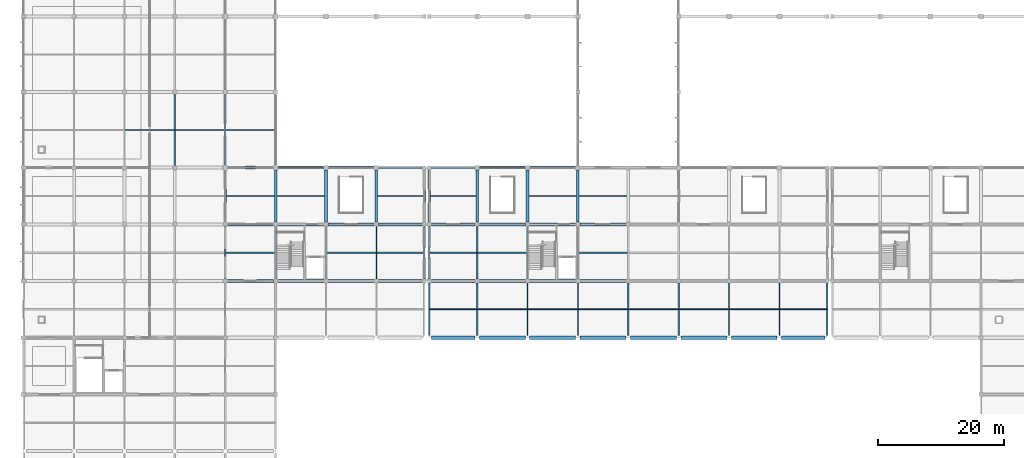
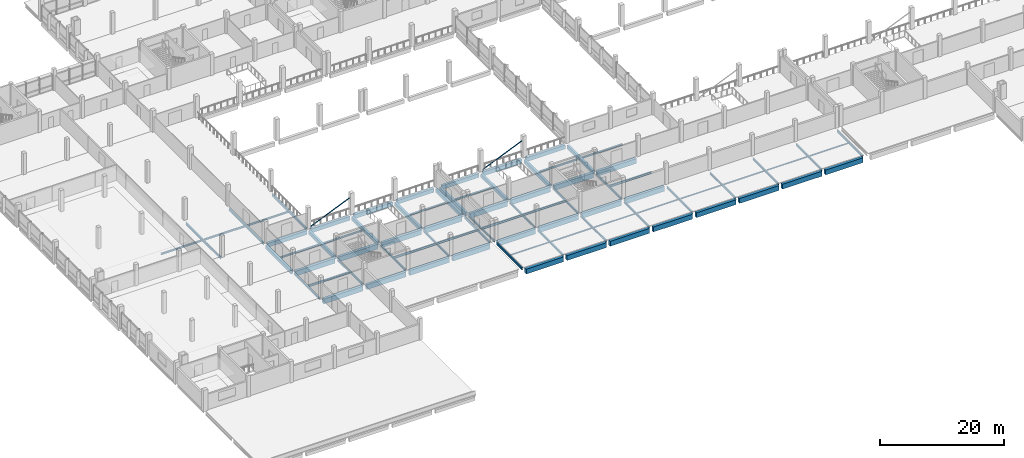
# One storey, part 8 of 57: 84 beams, 2 members.
"""IFC4 building model written with IfcOpenShell, lengths in metres."""

from ifc_helpers import new_model, si_unit, direction, frame, origin, origin_2d, place, context, subcontext, project, spatial, rectangle, hollow_circle, i_section, extrude, material, material_profile, profile_set, type_object, element, save


model = new_model("IFC4")

# Units and contexts
model_context = context("Model", 3, precision=1e-05, world=origin(), true_north=direction((0.0, 1.0)))
body_context = subcontext(model_context, "Body", "Model", "MODEL_VIEW")
ifc_project = project(units=[si_unit("LENGTHUNIT", "METRE"), si_unit("AREAUNIT", "SQUARE_METRE"), si_unit("VOLUMEUNIT", "CUBIC_METRE"), si_unit("PLANEANGLEUNIT", "RADIAN"), si_unit("MASSUNIT", "GRAM", prefix="KILO"), si_unit("THERMODYNAMICTEMPERATUREUNIT", "KELVIN"), si_unit("POWERUNIT", "WATT")], contexts=[model_context])

# Site, building, storey
site_placement = place(None, origin())
site = spatial("IfcSite", under=ifc_project, at=site_placement, CompositionType="ELEMENT")
building_placement = place(site_placement, origin())
building = spatial("IfcBuilding", under=site, at=building_placement, Name="Kronsvod Quay Wholesale Market", CompositionType="ELEMENT")
storey_placement = place(building_placement, frame((0.0, 0.0, 4.800048828125)))
storey = spatial("IfcBuildingStorey", under=building, at=storey_placement, Name="L01", CompositionType="ELEMENT", Elevation=4.800048828125)

# Beams
ifc_material_1 = material(Name="Precast concrete C40/50", Category="concrete")
ifc_material_profile_1 = material_profile(ifc_material_1, rectangle(XDim=0.419921875, YDim=0.679931640625, at=origin_2d()), Name="PB-05")
ifc_profile_set_1 = profile_set([ifc_material_profile_1], Name="Precast concrete C40/50")
beam_type_1 = type_object("IfcBeamType", Name="Beam_PCB420x680", PredefinedType="BEAM", material=ifc_profile_set_1)
for number, where, z_axis, x_axis, name in (
    (1, (32.0, 45.35009765625, -0.64013671875), (0.0, 1.0, 0.0), (-1.0, 0.0, 0.0), "BMY-L01-320-450"),
    (2, (40.0, 45.35009765625, -0.64013671875), (0.0, 1.0, 0.0), (-1.0, 0.0, 0.0), "BMY-L01-400-450"),
    (3, (48.0, 45.35009765625, -0.64013671875), (0.0, 1.0, 0.0), (-1.0, 0.0, 0.0), "BMY-L01-480-450"),
    (4, (56.0, 45.35009765625, -0.64013671875), (0.0, 1.0, 0.0), (-1.0, 0.0, 0.0), "BMY-L01-560-450"),
):
    element("IfcBeam", number, at=place(storey_placement, frame(where, z_axis=z_axis, x_axis=x_axis)), inside=storey, type_object=beam_type_1, Name=name, PredefinedType="BEAM", context=body_context, shape_type="SweptSolid", body=[
        extrude(rectangle(XDim=0.419921875, YDim=0.679931640625, at=origin_2d()), origin(), (0.0, 0.0, 1.0), 8.25),
    ])
for number, where, z_axis, x_axis, name in (
    (5, (63.60009765625, 45.35009765625, -0.64013671875), (0.0, 1.0, 0.0), (-1.0, 0.0, 0.0), "BMY-L01-636-450"),
    (6, (64.39990234375, 45.35009765625, -0.64013671875), (0.0, 1.0, 0.0), (-1.0, 0.0, 0.0), "BMY-L01-644-450"),
):
    element("IfcBeam", number, at=place(storey_placement, frame(where, z_axis=z_axis, x_axis=x_axis)), inside=storey, type_object=beam_type_1, Name=name, PredefinedType="BEAM", context=body_context, shape_type="SweptSolid", body=[
        extrude(rectangle(XDim=0.419921875, YDim=0.679931640625, at=origin_2d()), origin(), (0.0, 0.0, 1.0), 8.2998046875),
    ])
for number, where, z_axis, x_axis, name in (
    (7, (72.0, 45.35009765625, -0.64013671875), (0.0, 1.0, 0.0), (-1.0, 0.0, 0.0), "BMY-L01-720-450"),
    (8, (80.0, 45.35009765625, -0.64013671875), (0.0, 1.0, 0.0), (-1.0, 0.0, 0.0), "BMY-L01-800-450"),
    (9, (88.0, 45.35009765625, -0.64013671875), (0.0, 1.0, 0.0), (-1.0, 0.0, 0.0), "BMY-L01-880-450"),
):
    element("IfcBeam", number, at=place(storey_placement, frame(where, z_axis=z_axis, x_axis=x_axis)), inside=storey, type_object=beam_type_1, Name=name, PredefinedType="BEAM", context=body_context, shape_type="SweptSolid", body=[
        extrude(rectangle(XDim=0.419921875, YDim=0.679931640625, at=origin_2d()), origin(), (0.0, 0.0, 1.0), 8.25),
    ])
ifc_material_2 = material(Name="Precast concrete C40/50", Category="concrete")
ifc_material_profile_2 = material_profile(ifc_material_2, rectangle(XDim=0.449951171875, YDim=0.75, at=origin_2d()), Name="PCB450x750")
ifc_profile_set_2 = profile_set([ifc_material_profile_2], Name="Precast concrete C40/50")
beam_type_2 = type_object("IfcBeamType", Name="Beam_PCB450x750", PredefinedType="BEAM", material=ifc_profile_set_2)
for number, where, z_axis, x_axis, name in (
    (10, (56.39990234375, 54.0, -0.675048828125), (1.0, 0.0, 0.0), (0.0, 1.0, 0.0), "BMX-L01-560-540"),
    (11, (64.75, 54.0, -0.675048828125), (1.0, 0.0, 0.0), (0.0, 1.0, 0.0), "BMX-L01-644-540"),
):
    element("IfcBeam", number, at=place(storey_placement, frame(where, z_axis=z_axis, x_axis=x_axis)), inside=storey, type_object=beam_type_2, Name=name, PredefinedType="BEAM", context=body_context, shape_type="SweptSolid", body=[
        extrude(rectangle(XDim=0.449951171875, YDim=0.75, at=origin_2d()), origin(), (0.0, 0.0, 1.0), 6.85009765625),
    ])
ifc_material_3 = material(Name="Precast concrete C40/50", Category="concrete")
ifc_material_profile_3 = material_profile(ifc_material_3, rectangle(XDim=0.4599609375, YDim=0.780029296875, at=origin_2d()), Name="PB-03")
ifc_profile_set_3 = profile_set([ifc_material_profile_3], Name="Precast concrete C40/50")
beam_type_3 = type_object("IfcBeamType", Name="Beam_PCB460x780", PredefinedType="BEAM", material=ifc_profile_set_3)
for number, where, z_axis, x_axis, name in (
    (12, (32.39990234375, 54.0, -0.68994140625), (1.0, 0.0, 0.0), (0.0, 1.0, 0.0), "BMX-L01-320-540"),
    (13, (40.39990234375, 54.0, -0.68994140625), (1.0, 0.0, 0.0), (0.0, 1.0, 0.0), "BMX-L01-400-540"),
    (14, (48.39990234375, 54.0, -0.68994140625), (1.0, 0.0, 0.0), (0.0, 1.0, 0.0), "BMX-L01-480-540"),
    (15, (72.39990234375, 54.0, -0.68994140625), (1.0, 0.0, 0.0), (0.0, 1.0, 0.0), "BMX-L01-720-540"),
    (16, (80.39990234375, 54.0, -0.68994140625), (1.0, 0.0, 0.0), (0.0, 1.0, 0.0), "BMX-L01-800-540"),
):
    element("IfcBeam", number, at=place(storey_placement, frame(where, z_axis=z_axis, x_axis=x_axis)), inside=storey, type_object=beam_type_3, Name=name, PredefinedType="BEAM", context=body_context, shape_type="SweptSolid", body=[
        extrude(rectangle(XDim=0.4599609375, YDim=0.780029296875, at=origin_2d()), origin(), (0.0, 0.0, 1.0), 7.2001953125),
    ])
ifc_material_4 = material(Name="Steel S355", Category="steel")
ifc_material_profile_4 = material_profile(ifc_material_4, i_section(OverallWidth=0.125, OverallDepth=0.25, WebThickness=0.006103515625, FlangeThickness=0.009033203125, FilletRadius=0.011962890625, at=origin_2d()), Name="25B2")
ifc_profile_set_4 = profile_set([ifc_material_profile_4], Name="Steel S355")
beam_type_4 = type_object("IfcBeamType", Name="Beam_Steel25B2", PredefinedType="BEAM", material=ifc_profile_set_4)
beam_1_placement = place(storey_placement, frame((64.4951171875, 31.5, -0.31494140625), z_axis=(1.0, 0.0, 0.0), x_axis=(0.0, 1.0, 0.0)))
element("IfcBeam", 17, at=beam_1_placement, inside=storey, type_object=beam_type_4, Name="JSTX-L01-644-270", PredefinedType="BEAM", context=body_context, shape_type="SweptSolid", body=[
    extrude(i_section(OverallWidth=0.125, OverallDepth=0.25, WebThickness=0.006103515625, FlangeThickness=0.009033203125, FilletRadius=0.011962890625, at=origin_2d()), origin(), (0.0, 0.0, 1.0), 7.409912109375),
])
for number, where, z_axis, x_axis, name in (
    (18, (72.094970703125, 31.5, -0.31494140625), (1.0, 0.0, 0.0), (0.0, 1.0, 0.0), "JSTX-L01-720-270"),
    (19, (80.094970703125, 31.5, -0.31494140625), (1.0, 0.0, 0.0), (0.0, 1.0, 0.0), "JSTX-L01-800-270"),
    (20, (88.094970703125, 31.5, -0.31494140625), (1.0, 0.0, 0.0), (0.0, 1.0, 0.0), "JSTX-L01-880-270"),
    (21, (96.094970703125, 31.5, -0.31494140625), (1.0, 0.0, 0.0), (0.0, 1.0, 0.0), "JSTX-L01-960-270"),
    (22, (104.094970703125, 31.5, -0.31494140625), (1.0, 0.0, 0.0), (0.0, 1.0, 0.0), "JSTX-L01-1040-270"),
    (23, (112.094970703125, 31.5, -0.31494140625), (1.0, 0.0, 0.0), (0.0, 1.0, 0.0), "JSTX-L01-1120-270"),
):
    element("IfcBeam", number, at=place(storey_placement, frame(where, z_axis=z_axis, x_axis=x_axis)), inside=storey, type_object=beam_type_4, Name=name, PredefinedType="BEAM", context=body_context, shape_type="SweptSolid", body=[
        extrude(i_section(OverallWidth=0.125, OverallDepth=0.25, WebThickness=0.006103515625, FlangeThickness=0.009033203125, FilletRadius=0.011962890625, at=origin_2d()), origin(), (0.0, 0.0, 1.0), 7.81005859375),
    ])
beam_2_placement = place(storey_placement, frame((120.094970703125, 31.5, -0.31494140625), z_axis=(1.0, 0.0, 0.0), x_axis=(0.0, 1.0, 0.0)))
element("IfcBeam", 24, at=beam_2_placement, inside=storey, type_object=beam_type_4, Name="JSTX-L01-1200-270", PredefinedType="BEAM", context=body_context, shape_type="SweptSolid", body=[
    extrude(i_section(OverallWidth=0.125, OverallDepth=0.25, WebThickness=0.006103515625, FlangeThickness=0.009033203125, FilletRadius=0.011962890625, at=origin_2d()), origin(), (0.0, 0.0, 1.0), 7.409912109375),
])
ifc_material_5 = material(Name="Steel S355", Category="steel")
ifc_material_profile_5 = material_profile(ifc_material_5, i_section(OverallWidth=0.199951171875, OverallDepth=0.39990234375, WebThickness=0.008056640625, FlangeThickness=0.012939453125, FilletRadius=0.01611328125, at=origin_2d()), Name="40B2")
ifc_profile_set_5 = profile_set([ifc_material_profile_5], Name="Steel S355")
beam_type_5 = type_object("IfcBeamType", Name="Beam_Steel40B2", PredefinedType="BEAM", material=ifc_profile_set_5)
for number, where, z_axis, x_axis, name in (
    (25, (32.0, 36.35009765625, -0.5), (0.0, 1.0, 0.0), (-1.0, 0.0, 0.0), "BMY-L01-320-360"),
    (26, (40.0, 36.35009765625, -0.5), (0.0, 1.0, 0.0), (-1.0, 0.0, 0.0), "BMY-L01-400-360"),
    (27, (48.0, 36.35009765625, -0.5), (0.0, 1.0, 0.0), (-1.0, 0.0, 0.0), "BMY-L01-480-360"),
    (28, (56.0, 36.35009765625, -0.5), (0.0, 1.0, 0.0), (-1.0, 0.0, 0.0), "BMY-L01-560-360"),
    (29, (63.60009765625, 36.35009765625, -0.5), (0.0, 1.0, 0.0), (-1.0, 0.0, 0.0), "BMY-L01-636-360"),
    (30, (64.39990234375, 27.35009765625, -0.5), (0.0, 1.0, 0.0), (-1.0, 0.0, 0.0), "BMY-L01-644-270"),
    (31, (64.39990234375, 36.35009765625, -0.5), (0.0, 1.0, 0.0), (-1.0, 0.0, 0.0), "BMY-L01-644-360"),
    (32, (72.0, 27.35009765625, -0.5), (0.0, 1.0, 0.0), (-1.0, 0.0, 0.0), "BMY-L01-720-270"),
    (33, (72.0, 36.35009765625, -0.5), (0.0, 1.0, 0.0), (-1.0, 0.0, 0.0), "BMY-L01-720-360"),
    (34, (80.0, 27.35009765625, -0.5), (0.0, 1.0, 0.0), (-1.0, 0.0, 0.0), "BMY-L01-800-270"),
    (35, (80.0, 36.35009765625, -0.5), (0.0, 1.0, 0.0), (-1.0, 0.0, 0.0), "BMY-L01-800-360"),
    (36, (88.0, 27.35009765625, -0.5), (0.0, 1.0, 0.0), (-1.0, 0.0, 0.0), "BMY-L01-880-270"),
    (37, (88.0, 36.35009765625, -0.5), (0.0, 1.0, 0.0), (-1.0, 0.0, 0.0), "BMY-L01-880-360"),
    (38, (96.0, 27.35009765625, -0.5), (0.0, 1.0, 0.0), (-1.0, 0.0, 0.0), "BMY-L01-960-270"),
    (39, (104.0, 27.35009765625, -0.5), (0.0, 1.0, 0.0), (-1.0, 0.0, 0.0), "BMY-L01-1040-270"),
    (40, (112.0, 27.35009765625, -0.5), (0.0, 1.0, 0.0), (-1.0, 0.0, 0.0), "BMY-L01-1120-270"),
    (41, (120.0, 27.35009765625, -0.5), (0.0, 1.0, 0.0), (-1.0, 0.0, 0.0), "BMY-L01-1200-270"),
    (42, (127.60009765625, 27.35009765625, -0.5), (0.0, 1.0, 0.0), (-1.0, 0.0, 0.0), "BMY-L01-1276-270"),
):
    element("IfcBeam", number, at=place(storey_placement, frame(where, z_axis=z_axis, x_axis=x_axis)), inside=storey, type_object=beam_type_5, Name=name, PredefinedType="BEAM", context=body_context, shape_type="SweptSolid", body=[
        extrude(i_section(OverallWidth=0.199951171875, OverallDepth=0.39990234375, WebThickness=0.008056640625, FlangeThickness=0.012939453125, FilletRadius=0.01611328125, at=origin_2d()), origin(), (0.0, 0.0, 1.0), 8.2998046875),
    ])
ifc_material_6 = material(Name="Steel S355", Category="steel")
ifc_material_profile_6 = material_profile(ifc_material_6, i_section(OverallWidth=0.199951171875, OverallDepth=0.449951171875, WebThickness=0.009033203125, FlangeThickness=0.013916015625, FilletRadius=0.01806640625, at=origin_2d()), Name="45B2")
ifc_profile_set_6 = profile_set([ifc_material_profile_6], Name="Steel S355")
beam_type_6 = type_object("IfcBeamType", Name="Beam_Steel45B2", PredefinedType="BEAM", material=ifc_profile_set_6)
for number, where, z_axis, x_axis, name in (
    (43, (32.094970703125, 40.5, -0.525146484375), (1.0, 0.0, 0.0), (0.0, 1.0, 0.0), "JSTX-L01-320-360"),
    (44, (48.094970703125, 40.5, -0.525146484375), (1.0, 0.0, 0.0), (0.0, 1.0, 0.0), "JSTX-L01-480-360"),
):
    element("IfcBeam", number, at=place(storey_placement, frame(where, z_axis=z_axis, x_axis=x_axis)), inside=storey, type_object=beam_type_6, Name=name, PredefinedType="BEAM", context=body_context, shape_type="SweptSolid", body=[
        extrude(i_section(OverallWidth=0.199951171875, OverallDepth=0.449951171875, WebThickness=0.009033203125, FlangeThickness=0.013916015625, FilletRadius=0.01806640625, at=origin_2d()), origin(), (0.0, 0.0, 1.0), 7.81005859375),
    ])
for number, where, z_axis, x_axis, name in (
    (45, (56.094970703125, 40.5, -0.525146484375), (1.0, 0.0, 0.0), (0.0, 1.0, 0.0), "JSTX-L01-560-360"),
    (46, (64.4951171875, 40.5, -0.525146484375), (1.0, 0.0, 0.0), (0.0, 1.0, 0.0), "JSTX-L01-644-360"),
):
    element("IfcBeam", number, at=place(storey_placement, frame(where, z_axis=z_axis, x_axis=x_axis)), inside=storey, type_object=beam_type_6, Name=name, PredefinedType="BEAM", context=body_context, shape_type="SweptSolid", body=[
        extrude(i_section(OverallWidth=0.199951171875, OverallDepth=0.449951171875, WebThickness=0.009033203125, FlangeThickness=0.013916015625, FilletRadius=0.01806640625, at=origin_2d()), origin(), (0.0, 0.0, 1.0), 7.409912109375),
    ])
for number, where, z_axis, x_axis, name in (
    (47, (72.094970703125, 40.5, -0.525146484375), (1.0, 0.0, 0.0), (0.0, 1.0, 0.0), "JSTX-L01-720-360"),
    (48, (88.094970703125, 40.5, -0.525146484375), (1.0, 0.0, 0.0), (0.0, 1.0, 0.0), "JSTX-L01-880-360"),
):
    element("IfcBeam", number, at=place(storey_placement, frame(where, z_axis=z_axis, x_axis=x_axis)), inside=storey, type_object=beam_type_6, Name=name, PredefinedType="BEAM", context=body_context, shape_type="SweptSolid", body=[
        extrude(i_section(OverallWidth=0.199951171875, OverallDepth=0.449951171875, WebThickness=0.009033203125, FlangeThickness=0.013916015625, FilletRadius=0.01806640625, at=origin_2d()), origin(), (0.0, 0.0, 1.0), 7.81005859375),
    ])
ifc_material_7 = material(Name="Precast concrete C40/50", Category="concrete")
ifc_material_profile_7 = material_profile(ifc_material_7, rectangle(XDim=0.5, YDim=0.949951171875, at=origin_2d()), Name="PCB500x950")
ifc_profile_set_7 = profile_set([ifc_material_profile_7], Name="Precast concrete C40/50")
beam_type_7 = type_object("IfcBeamType", Name="Girder_PCB500x950", PredefinedType="T_BEAM", material=ifc_profile_set_7)
for number, where, z_axis, x_axis, name in (
    (49, (32.35009765625, 36.0, -0.775146484375), (1.0, 0.0, 0.0), (0.0, 1.0, 0.0), "BMX-L01-320-360"),
    (50, (40.35009765625, 36.0, -0.775146484375), (1.0, 0.0, 0.0), (0.0, 1.0, 0.0), "BMX-L01-400-360"),
    (51, (48.35009765625, 36.0, -0.775146484375), (1.0, 0.0, 0.0), (0.0, 1.0, 0.0), "BMX-L01-480-360"),
):
    element("IfcBeam", number, at=place(storey_placement, frame(where, z_axis=z_axis, x_axis=x_axis)), inside=storey, type_object=beam_type_7, Name=name, PredefinedType="T_BEAM", context=body_context, shape_type="SweptSolid", body=[
        extrude(rectangle(XDim=0.5, YDim=0.949951171875, at=origin_2d()), origin(), (0.0, 0.0, 1.0), 7.2998046875),
    ])
beam_3_placement = place(storey_placement, frame((56.35009765625, 36.0, -0.775146484375), z_axis=(1.0, 0.0, 0.0), x_axis=(0.0, 1.0, 0.0)))
element("IfcBeam", 52, at=beam_3_placement, inside=storey, type_object=beam_type_7, Name="BMX-L01-560-360", PredefinedType="T_BEAM", context=body_context, shape_type="SweptSolid", body=[
    extrude(rectangle(XDim=0.5, YDim=0.949951171875, at=origin_2d()), origin(), (0.0, 0.0, 1.0), 6.89990234375),
])
for number, where, z_axis, x_axis, name in (
    (53, (32.35009765625, 45.0, -0.775146484375), (1.0, 0.0, 0.0), (0.0, 1.0, 0.0), "BMX-L01-320-450"),
    (54, (40.35009765625, 45.0, -0.775146484375), (1.0, 0.0, 0.0), (0.0, 1.0, 0.0), "BMX-L01-400-450"),
    (55, (48.35009765625, 45.0, -0.775146484375), (1.0, 0.0, 0.0), (0.0, 1.0, 0.0), "BMX-L01-480-450"),
):
    element("IfcBeam", number, at=place(storey_placement, frame(where, z_axis=z_axis, x_axis=x_axis)), inside=storey, type_object=beam_type_7, Name=name, PredefinedType="T_BEAM", context=body_context, shape_type="SweptSolid", body=[
        extrude(rectangle(XDim=0.5, YDim=0.949951171875, at=origin_2d()), origin(), (0.0, 0.0, 1.0), 7.2998046875),
    ])
for number, where, z_axis, x_axis, name in (
    (56, (56.35009765625, 45.0, -0.775146484375), (1.0, 0.0, 0.0), (0.0, 1.0, 0.0), "BMX-L01-560-450"),
    (57, (64.75, 27.0, -0.775146484375), (1.0, 0.0, 0.0), (0.0, 1.0, 0.0), "BMX-L01-644-270"),
):
    element("IfcBeam", number, at=place(storey_placement, frame(where, z_axis=z_axis, x_axis=x_axis)), inside=storey, type_object=beam_type_7, Name=name, PredefinedType="T_BEAM", context=body_context, shape_type="SweptSolid", body=[
        extrude(rectangle(XDim=0.5, YDim=0.949951171875, at=origin_2d()), origin(), (0.0, 0.0, 1.0), 6.89990234375),
    ])
for number, where, z_axis, x_axis, name in (
    (58, (72.35009765625, 27.0, -0.775146484375), (1.0, 0.0, 0.0), (0.0, 1.0, 0.0), "BMX-L01-720-270"),
    (59, (80.35009765625, 27.0, -0.775146484375), (1.0, 0.0, 0.0), (0.0, 1.0, 0.0), "BMX-L01-800-270"),
    (60, (88.35009765625, 27.0, -0.775146484375), (1.0, 0.0, 0.0), (0.0, 1.0, 0.0), "BMX-L01-880-270"),
    (61, (96.35009765625, 27.0, -0.775146484375), (1.0, 0.0, 0.0), (0.0, 1.0, 0.0), "BMX-L01-960-270"),
    (62, (104.35009765625, 27.0, -0.775146484375), (1.0, 0.0, 0.0), (0.0, 1.0, 0.0), "BMX-L01-1040-270"),
    (63, (112.35009765625, 27.0, -0.775146484375), (1.0, 0.0, 0.0), (0.0, 1.0, 0.0), "BMX-L01-1120-270"),
):
    element("IfcBeam", number, at=place(storey_placement, frame(where, z_axis=z_axis, x_axis=x_axis)), inside=storey, type_object=beam_type_7, Name=name, PredefinedType="T_BEAM", context=body_context, shape_type="SweptSolid", body=[
        extrude(rectangle(XDim=0.5, YDim=0.949951171875, at=origin_2d()), origin(), (0.0, 0.0, 1.0), 7.2998046875),
    ])
for number, where, z_axis, x_axis, name in (
    (64, (120.35009765625, 27.0, -0.775146484375), (1.0, 0.0, 0.0), (0.0, 1.0, 0.0), "BMX-L01-1200-270"),
    (65, (64.75, 36.0, -0.775146484375), (1.0, 0.0, 0.0), (0.0, 1.0, 0.0), "BMX-L01-644-360"),
):
    element("IfcBeam", number, at=place(storey_placement, frame(where, z_axis=z_axis, x_axis=x_axis)), inside=storey, type_object=beam_type_7, Name=name, PredefinedType="T_BEAM", context=body_context, shape_type="SweptSolid", body=[
        extrude(rectangle(XDim=0.5, YDim=0.949951171875, at=origin_2d()), origin(), (0.0, 0.0, 1.0), 6.89990234375),
    ])
for number, where, z_axis, x_axis, name in (
    (66, (72.35009765625, 36.0, -0.775146484375), (1.0, 0.0, 0.0), (0.0, 1.0, 0.0), "BMX-L01-720-360"),
    (67, (80.35009765625, 36.0, -0.775146484375), (1.0, 0.0, 0.0), (0.0, 1.0, 0.0), "BMX-L01-800-360"),
    (68, (88.35009765625, 36.0, -0.775146484375), (1.0, 0.0, 0.0), (0.0, 1.0, 0.0), "BMX-L01-880-360"),
):
    element("IfcBeam", number, at=place(storey_placement, frame(where, z_axis=z_axis, x_axis=x_axis)), inside=storey, type_object=beam_type_7, Name=name, PredefinedType="T_BEAM", context=body_context, shape_type="SweptSolid", body=[
        extrude(rectangle(XDim=0.5, YDim=0.949951171875, at=origin_2d()), origin(), (0.0, 0.0, 1.0), 7.2998046875),
    ])
beam_4_placement = place(storey_placement, frame((64.75, 45.0, -0.775146484375), z_axis=(1.0, 0.0, 0.0), x_axis=(0.0, 1.0, 0.0)))
element("IfcBeam", 69, at=beam_4_placement, inside=storey, type_object=beam_type_7, Name="BMX-L01-644-450", PredefinedType="T_BEAM", context=body_context, shape_type="SweptSolid", body=[
    extrude(rectangle(XDim=0.5, YDim=0.949951171875, at=origin_2d()), origin(), (0.0, 0.0, 1.0), 6.89990234375),
])
for number, where, z_axis, x_axis, name in (
    (70, (72.35009765625, 45.0, -0.775146484375), (1.0, 0.0, 0.0), (0.0, 1.0, 0.0), "BMX-L01-720-450"),
    (71, (80.35009765625, 45.0, -0.775146484375), (1.0, 0.0, 0.0), (0.0, 1.0, 0.0), "BMX-L01-800-450"),
    (72, (88.35009765625, 45.0, -0.775146484375), (1.0, 0.0, 0.0), (0.0, 1.0, 0.0), "BMX-L01-880-450"),
):
    element("IfcBeam", number, at=place(storey_placement, frame(where, z_axis=z_axis, x_axis=x_axis)), inside=storey, type_object=beam_type_7, Name=name, PredefinedType="T_BEAM", context=body_context, shape_type="SweptSolid", body=[
        extrude(rectangle(XDim=0.5, YDim=0.949951171875, at=origin_2d()), origin(), (0.0, 0.0, 1.0), 7.2998046875),
    ])
ifc_material_8 = material(Name="Steel S355", Category="steel")
ifc_material_profile_8 = material_profile(ifc_material_8, i_section(OverallWidth=0.198974609375, OverallDepth=0.49609375, WebThickness=0.009033203125, FlangeThickness=0.013916015625, FilletRadius=0.02001953125, at=origin_2d()), Name="50B1")
ifc_profile_set_8 = profile_set([ifc_material_profile_8], Name="Steel S355")
beam_type_8 = type_object("IfcBeamType", Name="Girder_Steel50B1", PredefinedType="T_BEAM", material=ifc_profile_set_8)
beam_5_placement = place(storey_placement, frame((24.0, 54.35009765625, -0.548095703125), z_axis=(0.0, 1.0, 0.0), x_axis=(-1.0, 0.0, 0.0)))
element("IfcBeam", 73, at=beam_5_placement, inside=storey, type_object=beam_type_8, Name="BMY-L01-240-540", PredefinedType="T_BEAM", context=body_context, shape_type="SweptSolid", body=[
    extrude(i_section(OverallWidth=0.198974609375, OverallDepth=0.49609375, WebThickness=0.009033203125, FlangeThickness=0.013916015625, FilletRadius=0.02001953125, at=origin_2d()), origin(), (0.0, 0.0, 1.0), 11.2998046875),
])
for number, where, z_axis, x_axis, name in (
    (74, (32.0, 54.39990234375, -0.548095703125), (0.0, 1.0, 0.0), (-1.0, 0.0, 0.0), "BMY-L01-320-540"),
    (75, (40.0, 54.39990234375, -0.548095703125), (0.0, 1.0, 0.0), (-1.0, 0.0, 0.0), "BMY-L01-400-540"),
):
    element("IfcBeam", number, at=place(storey_placement, frame(where, z_axis=z_axis, x_axis=x_axis)), inside=storey, type_object=beam_type_8, Name=name, PredefinedType="T_BEAM", context=body_context, shape_type="SweptSolid", body=[
        extrude(i_section(OverallWidth=0.198974609375, OverallDepth=0.49609375, WebThickness=0.009033203125, FlangeThickness=0.013916015625, FilletRadius=0.02001953125, at=origin_2d()), origin(), (0.0, 0.0, 1.0), 11.25),
    ])
ifc_material_9 = material(Name="Steel S355", Category="steel")
ifc_material_profile_9 = material_profile(ifc_material_9, i_section(OverallWidth=0.175048828125, OverallDepth=0.35009765625, WebThickness=0.007080078125, FlangeThickness=0.010986328125, FilletRadius=0.013916015625, at=origin_2d()), Name="35B2")
ifc_profile_set_9 = profile_set([ifc_material_profile_9], Name="Steel S355")
beam_type_9 = type_object("IfcBeamType", Name="Joist_Steel35B2", PredefinedType="JOIST", material=ifc_profile_set_9)
for number, where, z_axis, x_axis, name in (
    (76, (16.094482421875, 60.0, -0.425048828125), (1.0, 0.0, 0.0), (0.0, 1.0, 0.0), "JSTX-L01-160-540"),
    (77, (24.094482421875, 60.0, -0.425048828125), (1.0, 0.0, 0.0), (0.0, 1.0, 0.0), "JSTX-L01-240-540"),
):
    element("IfcBeam", number, at=place(storey_placement, frame(where, z_axis=z_axis, x_axis=x_axis)), inside=storey, type_object=beam_type_9, Name=name, PredefinedType="JOIST", context=body_context, shape_type="SweptSolid", body=[
        extrude(i_section(OverallWidth=0.175048828125, OverallDepth=0.35009765625, WebThickness=0.007080078125, FlangeThickness=0.010986328125, FilletRadius=0.013916015625, at=origin_2d()), origin(), (0.0, 0.0, 1.0), 7.81103515625),
    ])
beam_6_placement = place(storey_placement, frame((32.205078125, 49.5, -0.405029296875), z_axis=(1.0, 0.0, 0.0), x_axis=(0.0, 1.0, 0.0)))
element("IfcBeam", 78, at=beam_6_placement, inside=storey, type_object=beam_type_9, Name="JSTX-L01-320-450", PredefinedType="JOIST", context=body_context, shape_type="SweptSolid", body=[
    extrude(i_section(OverallWidth=0.175048828125, OverallDepth=0.35009765625, WebThickness=0.007080078125, FlangeThickness=0.010986328125, FilletRadius=0.013916015625, at=origin_2d()), origin(), (0.0, 0.0, 1.0), 7.58984375),
])
beam_7_placement = place(storey_placement, frame((32.094482421875, 60.0, -0.425048828125), z_axis=(1.0, 0.0, 0.0), x_axis=(0.0, 1.0, 0.0)))
element("IfcBeam", 79, at=beam_7_placement, inside=storey, type_object=beam_type_9, Name="JSTX-L01-320-540", PredefinedType="JOIST", context=body_context, shape_type="SweptSolid", body=[
    extrude(i_section(OverallWidth=0.175048828125, OverallDepth=0.35009765625, WebThickness=0.007080078125, FlangeThickness=0.010986328125, FilletRadius=0.013916015625, at=origin_2d()), origin(), (0.0, 0.0, 1.0), 7.81103515625),
])
beam_8_placement = place(storey_placement, frame((40.205078125, 49.5, -0.405029296875), z_axis=(1.0, 0.0, 0.0), x_axis=(0.0, 1.0, 0.0)))
element("IfcBeam", 80, at=beam_8_placement, inside=storey, type_object=beam_type_9, Name="JSTX-L01-400-450", PredefinedType="JOIST", context=body_context, shape_type="SweptSolid", body=[
    extrude(i_section(OverallWidth=0.175048828125, OverallDepth=0.35009765625, WebThickness=0.007080078125, FlangeThickness=0.010986328125, FilletRadius=0.013916015625, at=origin_2d()), origin(), (0.0, 0.0, 1.0), 7.58984375),
])
for number, where, z_axis, x_axis, name in (
    (81, (56.205078125, 49.5, -0.405029296875), (1.0, 0.0, 0.0), (0.0, 1.0, 0.0), "JSTX-L01-560-450"),
    (82, (64.60498046875, 49.5, -0.405029296875), (1.0, 0.0, 0.0), (0.0, 1.0, 0.0), "JSTX-L01-644-450"),
):
    element("IfcBeam", number, at=place(storey_placement, frame(where, z_axis=z_axis, x_axis=x_axis)), inside=storey, type_object=beam_type_9, Name=name, PredefinedType="JOIST", context=body_context, shape_type="SweptSolid", body=[
        extrude(i_section(OverallWidth=0.175048828125, OverallDepth=0.35009765625, WebThickness=0.007080078125, FlangeThickness=0.010986328125, FilletRadius=0.013916015625, at=origin_2d()), origin(), (0.0, 0.0, 1.0), 7.18994140625),
    ])
for number, where, z_axis, x_axis, name in (
    (83, (80.205078125, 49.5, -0.405029296875), (1.0, 0.0, 0.0), (0.0, 1.0, 0.0), "JSTX-L01-800-450"),
    (84, (88.205078125, 49.5, -0.405029296875), (1.0, 0.0, 0.0), (0.0, 1.0, 0.0), "JSTX-L01-880-450"),
):
    element("IfcBeam", number, at=place(storey_placement, frame(where, z_axis=z_axis, x_axis=x_axis)), inside=storey, type_object=beam_type_9, Name=name, PredefinedType="JOIST", context=body_context, shape_type="SweptSolid", body=[
        extrude(i_section(OverallWidth=0.175048828125, OverallDepth=0.35009765625, WebThickness=0.007080078125, FlangeThickness=0.010986328125, FilletRadius=0.013916015625, at=origin_2d()), origin(), (0.0, 0.0, 1.0), 7.58984375),
    ])

# Members
ifc_material_10 = material(Name="Steel S355", Category="steel")
ifc_material_profile_10 = material_profile(ifc_material_10, hollow_circle(Radius=0.096923828125, WallThickness=0.008056640625, at=origin_2d()), Name="CHS194x8")
ifc_profile_set_10 = profile_set([ifc_material_profile_10], Name="Steel S355")
member_type = type_object("IfcMemberType", Name="Member_Brace194x8", PredefinedType="BRACE", material=ifc_profile_set_10)
for number, where, z_axis, x_axis, name in (
    (85, (40.340087890625, 54.0, 0.050048828125), (0.919925623213, 0.0, 0.392092907046), (0.0, 1.0, 0.0), "BRCG-L01-400-540-A"),
    (86, (72.340087890625, 54.0, 0.050048828125), (0.919925623213, 0.0, 0.392092907046), (0.0, 1.0, 0.0), "BRCG-L01-720-540-A"),
):
    element("IfcMember", number, at=place(storey_placement, frame(where, z_axis=z_axis, x_axis=x_axis)), inside=storey, type_object=member_type, Name=name, PredefinedType="BRACE", context=body_context, shape_type="SweptSolid", body=[
        extrude(hollow_circle(Radius=0.096923828125, WallThickness=0.008056640625, at=origin_2d()), origin(), (0.0, 0.0, 1.0), 7.95703125),
    ])

save(model, "model.ifc")
